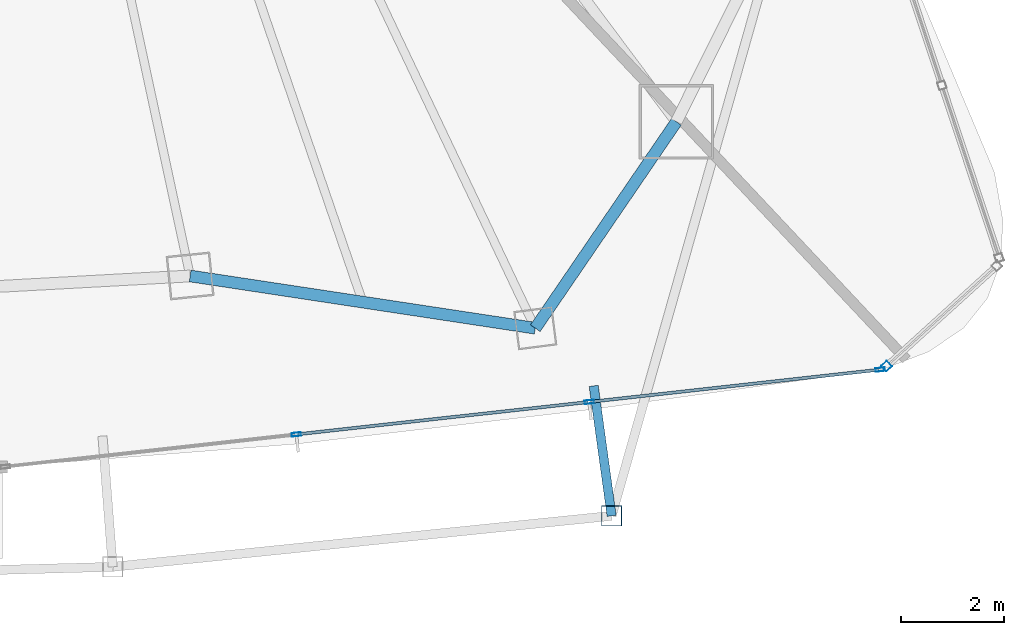
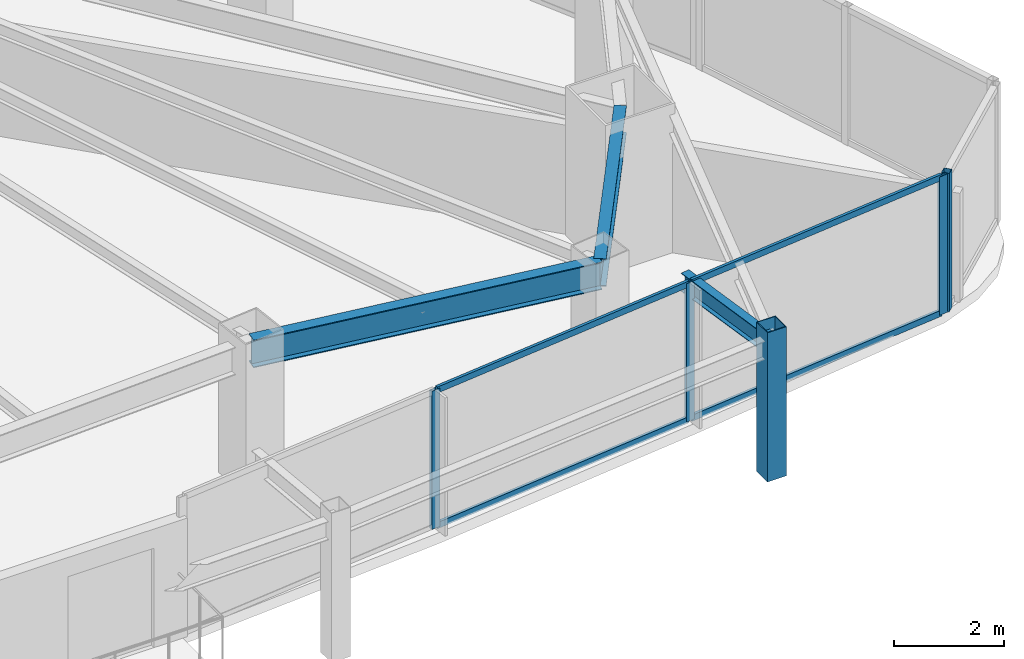
# One storey, part 14 of 31: 9 members, 3 beams, 2 elements without a shape of their own.
"""IFC4 building model written with IfcOpenShell, lengths in metres."""

from ifc_helpers import new_model, si_unit, direction, frame, origin, origin_2d, place, context, subcontext, project, spatial, hollow_rectangle, i_section, extrude, material, layer, layer_set, material_profile, profile_set, type_object, element, aggregate, save


model = new_model("IFC4")

# Units and contexts
model_context = context("Model", 3, precision=1e-05, world=origin(), true_north=direction((0.0, 1.0)))
body_context = subcontext(model_context, "Body", "Model", "MODEL_VIEW")
ifc_project = project(units=[si_unit("LENGTHUNIT", "METRE"), si_unit("AREAUNIT", "SQUARE_METRE"), si_unit("VOLUMEUNIT", "CUBIC_METRE"), si_unit("PLANEANGLEUNIT", "RADIAN"), si_unit("MASSUNIT", "GRAM", prefix="KILO")], contexts=[model_context])

# Site, building, storey
site_placement = place(None, origin())
site = spatial("IfcSite", under=ifc_project, at=site_placement, CompositionType="ELEMENT")
building_placement = place(site_placement, origin())
building = spatial("IfcBuilding", under=site, at=building_placement, Name="Orvanel Arch Residences", CompositionType="ELEMENT")
storey_placement = place(building_placement, frame((0.0, 0.0, 153.949951171875)))
storey = spatial("IfcBuildingStorey", under=building, at=storey_placement, Name="L43", CompositionType="ELEMENT", Elevation=153.949951171875)

# Curtain wall, member
ifc_material_1 = material(Name="Bronze-anodised aluminium AA6063-T6", Category="aluminium")
ifc_layer_1 = layer(ifc_material_1, 0.18994140625)
ifc_layer_set_1 = layer_set([ifc_layer_1], Name="Bronze-anodised aluminium AA6063-T6")
curtain_wall_type_1 = type_object("IfcCurtainWallType", Name="CW5-CRN-SYS", PredefinedType="NOTDEFINED", material=ifc_layer_set_1)
curtain_wall_1_placement = place(storey_placement, origin())
curtain_wall_1 = element("IfcCurtainWall", 1, at=curtain_wall_1_placement, inside=storey, type_object=curtain_wall_type_1, Name="L43 CW5-CRN-SYS Unitised Curtain Wall", PredefinedType="NOTDEFINED")
ifc_material_profile_1 = material_profile(ifc_material_1, hollow_rectangle(XDim=0.14990234375, YDim=0.14990234375, WallThickness=0.0048828125, at=origin_2d()), Name="ALU150x150x5")
ifc_profile_set_1 = profile_set([ifc_material_profile_1], Name="Bronze-anodised aluminium AA6063-T6")
member_type_1 = type_object("IfcMemberType", Name="MUL-150x150", PredefinedType="MULLION", material=ifc_profile_set_1)
member_1_placement = place(storey_placement, frame((55.887451171875, 5.6044921875, 0.0), z_axis=(0.0, 0.0, 1.0), x_axis=(-0.672329748621, 0.740251787651, 0.0)))
member_1 = element("IfcMember", 2, at=member_1_placement, type_object=member_type_1, Name="CW-S5 mullion 1", PredefinedType="MULLION", context=body_context, shape_type="SweptSolid", body=[
    extrude(hollow_rectangle(XDim=0.14990234375, YDim=0.14990234375, WallThickness=0.0048828125, at=origin_2d()), origin(), (0.0, 0.0, 1.0), 3.06005859375),
])
aggregate(curtain_wall_1, [member_1])

# Curtain wall, members
ifc_layer_2 = layer(ifc_material_1, 0.179931640625)
ifc_layer_set_2 = layer_set([ifc_layer_2], Name="Bronze-anodised aluminium AA6063-T6")
curtain_wall_type_2 = type_object("IfcCurtainWallType", Name="CW3-MID-SYS", PredefinedType="NOTDEFINED", material=ifc_layer_set_2)
curtain_wall_2_placement = place(storey_placement, origin())
curtain_wall_2 = element("IfcCurtainWall", 3, at=curtain_wall_2_placement, inside=storey, type_object=curtain_wall_type_2, Name="L43 CW3-MID-SYS Unitised Curtain Wall", PredefinedType="NOTDEFINED")
ifc_material_profile_2 = material_profile(ifc_material_1, hollow_rectangle(XDim=0.070068359375, YDim=0.179931640625, WallThickness=0.00439453125, at=origin_2d()), Name="ALU180x70x4.5")
ifc_profile_set_2 = profile_set([ifc_material_profile_2], Name="Bronze-anodised aluminium AA6063-T6")
member_type_2 = type_object("IfcMemberType", Name="MUL-180x70", PredefinedType="MULLION", material=ifc_profile_set_2)
member_2_placement = place(storey_placement, frame((44.4150390625, 4.27490234375, 0.0), z_axis=(0.0, 0.0, 1.0), x_axis=(-0.110374021666, 0.993890122368, 0.0)))
member_2 = element("IfcMember", 4, at=member_2_placement, type_object=member_type_2, Name="CW-S3 mullion 2", PredefinedType="MULLION", context=body_context, shape_type="SweptSolid", body=[
    extrude(hollow_rectangle(XDim=0.070068359375, YDim=0.179931640625, WallThickness=0.00439453125, at=origin_2d()), origin(), (0.0, 0.0, 1.0), 3.06005859375),
])
member_3_placement = place(storey_placement, frame((50.10595703125, 4.906982421875, 0.0), z_axis=(0.0, 0.0, 1.0), x_axis=(-0.110374021666, 0.993890122368, 0.0)))
member_3 = element("IfcMember", 5, at=member_3_placement, type_object=member_type_2, Name="CW-S3 mullion 3", PredefinedType="MULLION", context=body_context, shape_type="SweptSolid", body=[
    extrude(hollow_rectangle(XDim=0.070068359375, YDim=0.179931640625, WallThickness=0.00439453125, at=origin_2d()), origin(), (0.0, 0.0, 1.0), 3.06005859375),
])
member_4_placement = place(storey_placement, frame((55.76220703125, 5.53515625, 0.0), z_axis=(0.0, 0.0, 1.0), x_axis=(-0.110374021666, 0.993890122368, 0.0)))
member_4 = element("IfcMember", 6, at=member_4_placement, type_object=member_type_2, Name="CW-S3 mullion 4", PredefinedType="MULLION", context=body_context, shape_type="SweptSolid", body=[
    extrude(hollow_rectangle(XDim=0.070068359375, YDim=0.179931640625, WallThickness=0.00439453125, at=origin_2d()), origin(), (0.0, 0.0, 1.0), 3.06005859375),
])

# Beams
ifc_material_2 = material(Name="Structural steel AS/NZS 3679.1 Grade 300 (300 MPa)", Category="steel")
ifc_material_profile_3 = material_profile(ifc_material_2, i_section(OverallWidth=0.177978515625, OverallDepth=0.406005859375, WebThickness=0.0078125, FlangeThickness=0.0126953125, at=origin_2d()), Name="410UB59.7")
ifc_profile_set_3 = profile_set([ifc_material_profile_3], Name="Structural steel AS/NZS 3679.1 Grade 300 (300 MPa)")
beam_type_1 = type_object("IfcBeamType", Name="OB-410UB-EXT", PredefinedType="SPANDREL", material=ifc_profile_set_3)
beam_1_placement = place(storey_placement, frame((50.194091796875, 5.218994140625, 2.85693359375), z_axis=(0.136822073106, -0.990595639154, 0.0), x_axis=(0.990595639154, 0.136822073106, 0.0)))
element("IfcBeam", 7, at=beam_1_placement, inside=storey, type_object=beam_type_1, Name="L43 Outer Frame Radial Tie Beam 08", PredefinedType="SPANDREL", context=body_context, shape_type="SweptSolid", body=[
    extrude(i_section(OverallWidth=0.177978515625, OverallDepth=0.406005859375, WebThickness=0.0078125, FlangeThickness=0.0126953125, at=origin_2d()), origin(), (0.0, 0.0, 1.0), 2.5498046875),
])
ifc_material_profile_4 = material_profile(ifc_material_2, i_section(OverallWidth=0.22900390625, OverallDepth=0.612060546875, WebThickness=0.011962890625, FlangeThickness=0.01953125, at=origin_2d()), Name="610UB125")
ifc_profile_set_4 = profile_set([ifc_material_profile_4], Name="Structural steel AS/NZS 3679.1 Grade 300 (300 MPa)")
beam_type_2 = type_object("IfcBeamType", Name="SP-610UB", PredefinedType="SPANDREL", material=ifc_profile_set_4)
beam_2_placement = place(storey_placement, frame((42.35107421875, 7.35498046875, 2.754150390625), z_axis=(0.988726323014, -0.149733958002, 0.0), x_axis=(0.149733958002, 0.988726323014, 0.0)))
element("IfcBeam", 8, at=beam_2_placement, inside=storey, type_object=beam_type_2, Name="L43 Perimeter Spandrel Beam 07", PredefinedType="SPANDREL", context=body_context, shape_type="SweptSolid", body=[
    extrude(i_section(OverallWidth=0.22900390625, OverallDepth=0.612060546875, WebThickness=0.011962890625, FlangeThickness=0.01953125, at=origin_2d()), origin(), (0.0, 0.0, 1.0), 6.784423828125),
])
beam_3_placement = place(storey_placement, frame((49.05908203125, 6.339111328125, 2.754150390625), z_axis=(0.564251579852, 0.825602903722, 0.0), x_axis=(-0.825602903722, 0.564251579852, 0.0)))
element("IfcBeam", 9, at=beam_3_placement, inside=storey, type_object=beam_type_2, Name="L43 Perimeter Spandrel Beam 08", PredefinedType="SPANDREL", context=body_context, shape_type="SweptSolid", body=[
    extrude(i_section(OverallWidth=0.22900390625, OverallDepth=0.612060546875, WebThickness=0.011962890625, FlangeThickness=0.01953125, at=origin_2d()), origin(), (0.0, 0.0, 1.0), 4.859375),
])

# Member
ifc_material_3 = material(Name="Structural steel AS/NZS 1163 C450L0 (Grade 450)", Category="steel")
ifc_material_profile_5 = material_profile(ifc_material_3, hollow_rectangle(XDim=0.39990234375, YDim=0.39990234375, WallThickness=0.01611328125, at=origin_2d()), Name="SHS400x400x16")
ifc_profile_set_5 = profile_set([ifc_material_profile_5], Name="Structural steel AS/NZS 1163 C450L0 (Grade 450)")
member_type_3 = type_object("IfcMemberType", Name="ST-400SHS-EXT", PredefinedType="STRUT", material=ifc_profile_set_5)
member_5_placement = place(storey_placement, frame((50.54296875, 2.693115234375, 0.0), z_axis=(0.0, 0.0, 1.0), x_axis=(1.0, 0.0, 0.0)))
element("IfcMember", 10, at=member_5_placement, inside=storey, type_object=member_type_3, Name="L43 Outer Perimeter Frame Post 08", PredefinedType="STRUT", context=body_context, shape_type="SweptSolid", body=[
    extrude(hollow_rectangle(XDim=0.39990234375, YDim=0.39990234375, WallThickness=0.01611328125, at=origin_2d()), origin(), (0.0, 0.0, 1.0), 3.300048828125),
])

ifc_material_profile_6 = material_profile(ifc_material_1, hollow_rectangle(XDim=0.06005859375, YDim=0.135009765625, WallThickness=0.00390625, at=origin_2d()), Name="ALU135x60x4")
ifc_profile_set_6 = profile_set([ifc_material_profile_6], Name="Bronze-anodised aluminium AA6063-T6")
member_type_4 = type_object("IfcMemberType", Name="TRN-135x60", PredefinedType="USERDEFINED", material=ifc_profile_set_6)
member_6_placement = place(storey_placement, frame((44.44970703125, 4.27880859375, 0.030029296875), z_axis=(0.993890575813, 0.110369938433, 0.0), x_axis=(-0.110369938433, 0.993890575813, 0.0)))
member_6 = element("IfcMember", 11, at=member_6_placement, type_object=member_type_4, Name="CW-S3 transom 2.1", ObjectType="TRANSOM", PredefinedType="USERDEFINED", context=body_context, shape_type="SweptSolid", body=[
    extrude(hollow_rectangle(XDim=0.06005859375, YDim=0.135009765625, WallThickness=0.00390625, at=origin_2d()), origin(), (0.0, 0.0, 1.0), 5.65625),
])

member_7_placement = place(storey_placement, frame((44.44970703125, 4.27880859375, 3.030029296875), z_axis=(0.993890575813, 0.110369938433, 0.0), x_axis=(-0.110369938433, 0.993890575813, 0.0)))
member_7 = element("IfcMember", 12, at=member_7_placement, type_object=member_type_4, Name="CW-S3 transom 2.2", ObjectType="TRANSOM", PredefinedType="USERDEFINED", context=body_context, shape_type="SweptSolid", body=[
    extrude(hollow_rectangle(XDim=0.06005859375, YDim=0.135009765625, WallThickness=0.00390625, at=origin_2d()), origin(), (0.0, 0.0, 1.0), 5.65625),
])

member_8_placement = place(storey_placement, frame((50.140869140625, 4.910888671875, 0.030029296875), z_axis=(0.993891147926, 0.110364786386, 0.0), x_axis=(-0.110364786386, 0.993891147926, 0.0)))
member_8 = element("IfcMember", 13, at=member_8_placement, type_object=member_type_4, Name="CW-S3 transom 3.1", ObjectType="TRANSOM", PredefinedType="USERDEFINED", context=body_context, shape_type="SweptSolid", body=[
    extrude(hollow_rectangle(XDim=0.06005859375, YDim=0.135009765625, WallThickness=0.00390625, at=origin_2d()), origin(), (0.0, 0.0, 1.0), 5.62109375),
])

member_9_placement = place(storey_placement, frame((50.140869140625, 4.910888671875, 3.030029296875), z_axis=(0.993891147926, 0.110364786386, 0.0), x_axis=(-0.110364786386, 0.993891147926, 0.0)))
member_9 = element("IfcMember", 14, at=member_9_placement, type_object=member_type_4, Name="CW-S3 transom 3.2", ObjectType="TRANSOM", PredefinedType="USERDEFINED", context=body_context, shape_type="SweptSolid", body=[
    extrude(hollow_rectangle(XDim=0.06005859375, YDim=0.135009765625, WallThickness=0.00390625, at=origin_2d()), origin(), (0.0, 0.0, 1.0), 5.62109375),
])

aggregate(curtain_wall_2, [member_2, member_3, member_4, member_6, member_7, member_8, member_9])

save(model, "model.ifc")
